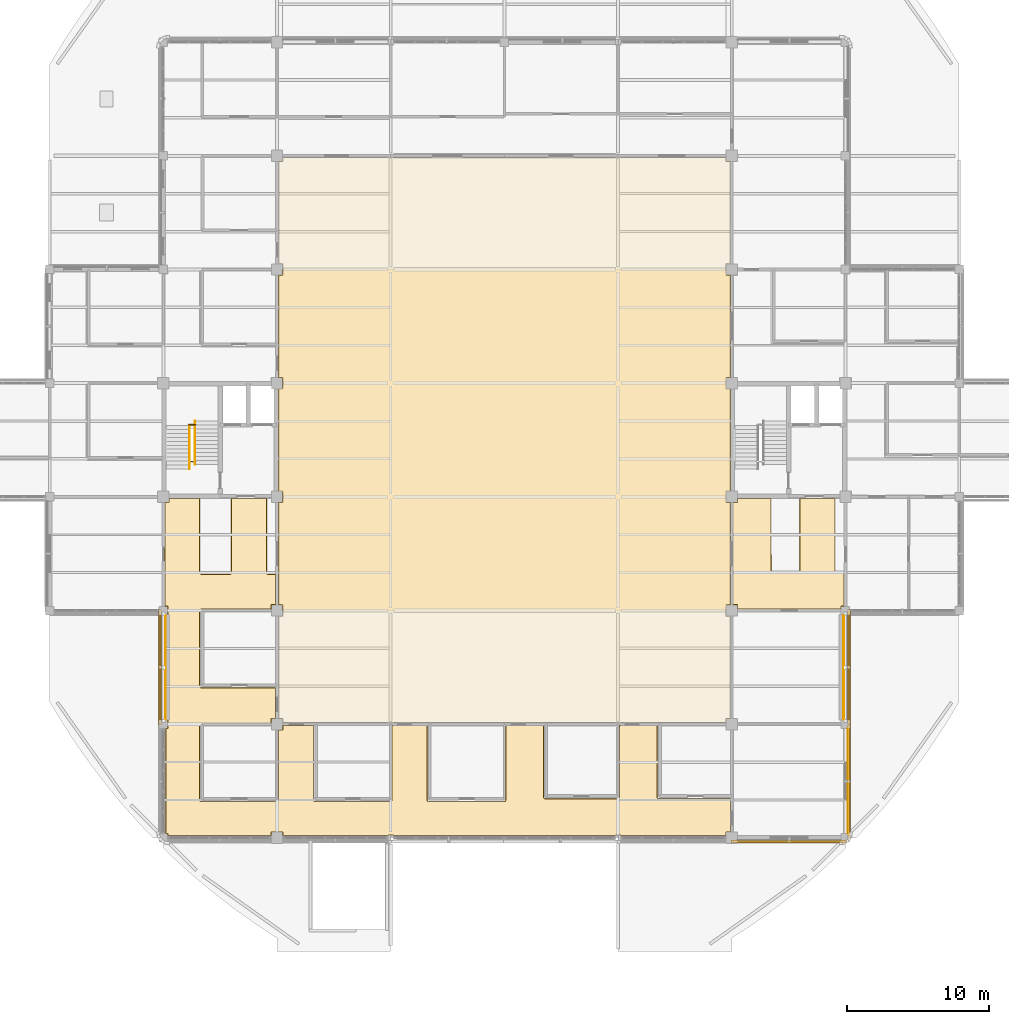
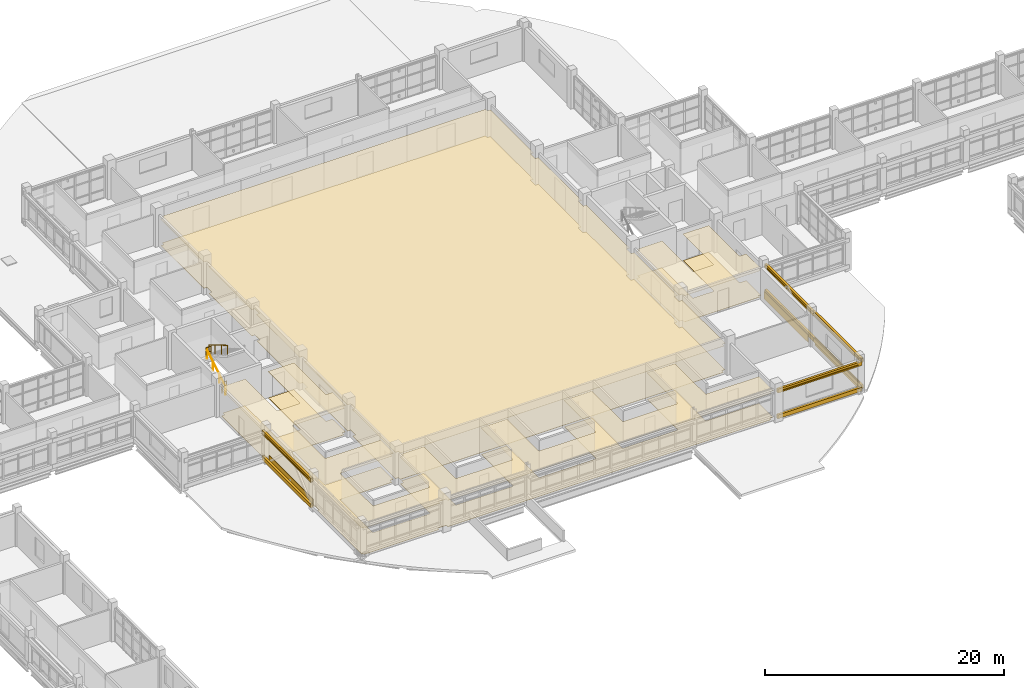
# One storey, part 115 of 126: 17 coverings, 4 railings, 4 shading devices.
"""IFC4 building model written with IfcOpenShell, lengths in metres."""

from ifc_helpers import new_model, si_unit, derived_unit, direction, frame, origin, origin_2d, place, context, subcontext, project, spatial, polyline, rectangle, circle, outline, extrude, material, layer, layer_set, material_profile, profile_set, type_object, element, save


model = new_model("IFC4")

# Units and contexts
model_context = context("Model", 3, precision=1e-05, world=origin(), true_north=direction((0.0, 1.0)))
body_context = subcontext(model_context, "Body", "Model", "MODEL_VIEW")
ifc_project = project(units=[si_unit("LENGTHUNIT", "METRE"), si_unit("AREAUNIT", "SQUARE_METRE"), si_unit("VOLUMEUNIT", "CUBIC_METRE"), si_unit("PLANEANGLEUNIT", "RADIAN"), si_unit("MASSUNIT", "GRAM", prefix="KILO"), derived_unit("THERMALTRANSMITTANCEUNIT", [(si_unit("MASSUNIT", "GRAM", prefix="KILO"), 1), (si_unit("TIMEUNIT", "SECOND"), -3), (si_unit("THERMODYNAMICTEMPERATUREUNIT", "KELVIN"), -1)])], contexts=[model_context])

# Site, building, storey
site_placement = place(None, origin())
site = spatial("IfcSite", under=ifc_project, at=site_placement, CompositionType="ELEMENT")
building_placement = place(site_placement, origin())
building = spatial("IfcBuilding", under=site, at=building_placement, Name="Veyamyaing Civic Hall", CompositionType="ELEMENT")
storey_placement = place(building_placement, frame((0.0, 0.0, 9.89990234375)))
storey = spatial("IfcBuildingStorey", under=building, at=storey_placement, Name="L02", CompositionType="ELEMENT", Elevation=9.89990234375)

# Coverings
ifc_material_1 = material(Name="Buff sandstone ashlar cladding", Category="masonry")
ifc_layer_1 = layer(ifc_material_1, 0.050048828125, Name="Buff sandstone ashlar cladding")
ifc_layer_set_1 = layer_set([ifc_layer_1], Name="Buff sandstone ashlar cladding")
covering_type_1 = type_object("IfcCoveringType", Name="CL-01", PredefinedType="CLADDING", material=ifc_layer_set_1)
covering_1_placement = place(storey_placement, frame((111.87353515625, 36.0, 0.045166015625), z_axis=(0.0, 0.0, 1.0), x_axis=(0.0, 1.0, 0.0)))
element("IfcCovering", 1, at=covering_1_placement, inside=storey, type_object=covering_type_1, Name="Facade spandrel cladding CL-01 L02 E 14.5", PredefinedType="CLADDING", context=body_context, shape_type="SweptSolid", body=[
    extrude(rectangle(XDim=7.35009765625, YDim=0.050048828125, at=origin_2d()), origin(), (0.0, 0.0, 1.0), 0.75),
])
ifc_material_2 = material(Name="Turquoise glazed ceramic tile cladding", Category="masonry")
ifc_layer_2 = layer(ifc_material_2, 0.034912109375, Name="Turquoise glazed ceramic tile cladding")
ifc_layer_set_2 = layer_set([ifc_layer_2], Name="Turquoise glazed ceramic tile cladding")
covering_type_2 = type_object("IfcCoveringType", Name="CL-02", PredefinedType="CLADDING", material=ifc_layer_set_2)
for number, where, z_axis, x_axis, name in (
    (2, (64.134033203125, 36.0, 0.045166015625), (0.0, 0.0, 1.0), (0.0, 1.0, 0.0), "Facade spandrel cladding CL-02 L02 W 9.5"),
    (3, (112.166015625, 28.0, 0.045166015625), (0.0, 0.0, 1.0), (0.0, 1.0, 0.0), "Facade spandrel cladding CL-02 L02 E 14.4"),
):
    element("IfcCovering", number, at=place(storey_placement, frame(where, z_axis=z_axis, x_axis=x_axis)), inside=storey, type_object=covering_type_2, Name=name, PredefinedType="CLADDING", context=body_context, shape_type="SweptSolid", body=[
        extrude(rectangle(XDim=7.35009765625, YDim=0.034912109375, at=origin_2d()), origin(), (0.0, 0.0, 1.0), 0.75),
    ])
ifc_material_3 = material(Name="White powder-coated aluminium 6063-T6", Category="aluminium")
ifc_layer_3 = layer(ifc_material_3, 0.2099609375, Name="White powder-coated aluminium 6063-T6")
ifc_layer_set_3 = layer_set([ifc_layer_3], Name="White powder-coated aluminium 6063-T6")
covering_type_3 = type_object("IfcCoveringType", Name="CL-03", PredefinedType="CLADDING", material=ifc_layer_set_3)
for number, where, z_axis, x_axis, name in (
    (4, (63.760009765625, 36.0, 2.904052734375), (0.0, 0.0, 1.0), (0.0, 1.0, 0.0), "Continuous white head fascia ribbon CL-03 L02 W 9.5"),
    (5, (63.760009765625, 36.0, 0.280029296875), (0.0, 0.0, 1.0), (0.0, 1.0, 0.0), "Continuous white sill fascia ribbon CL-03 L02 W 9.5"),
    (6, (108.0, 23.760009765625, 2.904052734375), (0.0, 0.0, 1.0), (1.0, 0.0, 0.0), "Continuous white head fascia ribbon CL-03 L02 S 14.4"),
    (7, (108.0, 23.760009765625, 0.280029296875), (0.0, 0.0, 1.0), (1.0, 0.0, 0.0), "Continuous white sill fascia ribbon CL-03 L02 S 14.4"),
    (8, (112.239990234375, 28.0, 2.967041015625), (0.0, 0.0, 1.0), (0.0, 1.0, 0.0), "Continuous white head fascia ribbon CL-03 L02 E 14.4"),
    (9, (112.239990234375, 28.0, 0.280029296875), (0.0, 0.0, 1.0), (0.0, 1.0, 0.0), "Continuous white sill fascia ribbon CL-03 L02 E 14.4"),
    (10, (112.239990234375, 36.0, 2.900146484375), (0.0, 0.0, 1.0), (0.0, 1.0, 0.0), "Continuous white head fascia ribbon CL-03 L02 E 14.5"),
    (11, (112.239990234375, 36.0, 0.280029296875), (0.0, 0.0, 1.0), (0.0, 1.0, 0.0), "Continuous white sill fascia ribbon CL-03 L02 E 14.5"),
):
    element("IfcCovering", number, at=place(storey_placement, frame(where, z_axis=z_axis, x_axis=x_axis)), inside=storey, type_object=covering_type_3, Name=name, PredefinedType="CLADDING", context=body_context, shape_type="SweptSolid", body=[
        extrude(rectangle(XDim=8.1201171875, YDim=0.2099609375, at=origin_2d()), origin(), (0.0, 0.0, 1.0), 0.39990234375),
    ])
ifc_material_4 = material(Name="Perforated acoustic gypsum ceiling board")
ifc_layer_4 = layer(ifc_material_4, 0.02490234375, Name="Perforated acoustic gypsum ceiling board")
ifc_layer_set_4 = layer_set([ifc_layer_4], Name="Perforated acoustic gypsum ceiling board")
covering_type_4 = type_object("IfcCoveringType", Name="CLG-01", PredefinedType="CEILING", material=ifc_layer_set_4)
covering_2_placement = place(storey_placement, frame((0.0, 0.0, 2.7001953125)))
element("IfcCovering", 12, at=covering_2_placement, inside=storey, type_object=covering_type_4, Name="Acoustic suspended ceiling CLG-01 L02-H01", PredefinedType="CEILING", context=body_context, shape_type="SweptSolid", body=[
    extrude(outline(polyline([(103.614990234375, 63.614990234375), (103.905029296875, 63.614990234375), (103.905029296875, 56.385009765625), (103.614990234375, 56.385009765625), (103.614990234375, 55.614990234375), (103.905029296875, 55.614990234375), (103.905029296875, 48.385009765625), (103.614990234375, 48.385009765625), (103.614990234375, 47.614990234375), (103.905029296875, 47.614990234375), (103.905029296875, 40.385009765625), (103.614990234375, 40.385009765625), (103.614990234375, 39.614990234375), (103.905029296875, 39.614990234375), (103.905029296875, 32.385009765625), (103.614990234375, 32.385009765625), (103.614990234375, 32.094970703125), (72.385009765625, 32.094970703125), (72.385009765625, 32.385009765625), (72.094970703125, 32.385009765625), (72.094970703125, 39.614990234375), (72.385009765625, 39.614990234375), (72.385009765625, 40.385009765625), (72.094970703125, 40.385009765625), (72.094970703125, 47.614990234375), (72.385009765625, 47.614990234375), (72.385009765625, 48.385009765625), (72.094970703125, 48.385009765625), (72.094970703125, 55.614990234375), (72.385009765625, 55.614990234375), (72.385009765625, 56.385009765625), (72.094970703125, 56.385009765625), (72.094970703125, 63.614990234375), (72.385009765625, 63.614990234375), (72.385009765625, 64.385009765625), (72.094970703125, 64.385009765625), (72.094970703125, 71.614990234375), (72.385009765625, 71.614990234375), (72.385009765625, 71.905029296875), (103.614990234375, 71.905029296875), (103.614990234375, 71.614990234375), (103.905029296875, 71.614990234375), (103.905029296875, 64.385009765625), (103.614990234375, 64.385009765625), (103.614990234375, 63.614990234375)])), origin(), (0.0, 0.0, 1.0), 0.02490234375),
])
covering_3_placement = place(storey_placement, frame((0.0, 0.0, 2.7001953125)))
element("IfcCovering", 13, at=covering_3_placement, inside=storey, type_object=covering_type_4, Name="Acoustic suspended ceiling CLG-01 L02-C04", PredefinedType="CEILING", context=body_context, shape_type="SweptSolid", body=[
    extrude(outline(polyline([(66.580810546875, 42.6220703125), (66.597412109375, 42.597412109375), (66.62158203125, 42.581298828125), (66.652587890625, 42.574951171875), (68.6982421875, 42.574951171875), (68.7216796875, 42.57861328125), (68.741455078125, 42.587890625), (68.7578125, 42.6025390625), (68.768798828125, 42.620849609375), (68.77490234375, 42.652587890625), (68.77490234375, 47.925048828125), (71.27490234375, 47.925048828125), (71.275390625, 42.643310546875), (71.28076171875, 42.6220703125), (71.29736328125, 42.597412109375), (71.322021484375, 42.580810546875), (71.34326171875, 42.575439453125), (71.925048828125, 42.574951171875), (71.925048828125, 40.385009765625), (71.614990234375, 40.385009765625), (71.614990234375, 40.074951171875), (66.652587890625, 40.074951171875), (66.62158203125, 40.06884765625), (66.597412109375, 40.052734375), (66.581298828125, 40.028564453125), (66.574951171875, 39.99755859375), (66.574951171875, 34.652587890625), (66.581298828125, 34.62158203125), (66.597412109375, 34.597412109375), (66.62158203125, 34.581298828125), (66.652587890625, 34.574951171875), (71.925048828125, 34.574951171875), (71.925048828125, 32.385009765625), (71.614990234375, 32.385009765625), (71.614990234375, 32.074951171875), (66.652587890625, 32.074951171875), (66.620849609375, 32.068603515625), (66.60205078125, 32.0576171875), (66.592529296875, 32.0478515625), (66.581298828125, 32.029296875), (66.574951171875, 31.99755859375), (66.574951171875, 26.65185546875), (66.57861328125, 26.62841796875), (66.588134765625, 26.60791015625), (66.5966796875, 26.597412109375), (66.615234375, 26.583740234375), (66.627685546875, 26.57861328125), (66.65185546875, 26.574951171875), (71.99755859375, 26.574951171875), (72.028564453125, 26.581298828125), (72.052734375, 26.597412109375), (72.06884765625, 26.62158203125), (72.074951171875, 26.652587890625), (72.074951171875, 31.614990234375), (72.385009765625, 31.614990234375), (72.385009765625, 31.925048828125), (74.574951171875, 31.925048828125), (74.574951171875, 26.652587890625), (74.581298828125, 26.620849609375), (74.59228515625, 26.6025390625), (74.60791015625, 26.58837890625), (74.635498046875, 26.576904296875), (79.99755859375, 26.574951171875), (80.028564453125, 26.581298828125), (80.052734375, 26.597412109375), (80.06884765625, 26.62158203125), (80.074951171875, 26.652587890625), (80.074951171875, 31.925048828125), (82.574951171875, 31.925048828125), (82.574951171875, 26.65185546875), (82.57861328125, 26.62841796875), (82.587890625, 26.6083984375), (82.602294921875, 26.5927734375), (82.62890625, 26.578369140625), (82.65185546875, 26.574951171875), (87.99755859375, 26.574951171875), (88.028564453125, 26.581298828125), (88.052734375, 26.597412109375), (88.06884765625, 26.62158203125), (88.074951171875, 26.652587890625), (88.074951171875, 31.925048828125), (90.77490234375, 31.925048828125), (90.77490234375, 26.851806640625), (90.778564453125, 26.82763671875), (90.78369140625, 26.815185546875), (90.797607421875, 26.796630859375), (90.807861328125, 26.7880859375), (90.828369140625, 26.778564453125), (90.851806640625, 26.77490234375), (96.014404296875, 26.77685546875), (96.0419921875, 26.788330078125), (96.057861328125, 26.802490234375), (96.068603515625, 26.82080078125), (96.074951171875, 26.8525390625), (96.074951171875, 31.925048828125), (98.77490234375, 31.925048828125), (98.77490234375, 26.851806640625), (98.778564453125, 26.828369140625), (98.7880859375, 26.807861328125), (98.796630859375, 26.797607421875), (98.815185546875, 26.78369140625), (98.82763671875, 26.778564453125), (98.851806640625, 26.77490234375), (103.925048828125, 26.77490234375), (103.925048828125, 24.385009765625), (103.614990234375, 24.385009765625), (103.614990234375, 24.155029296875), (96.17041015625, 24.155029296875), (96.17041015625, 24.1669921875), (95.82958984375, 24.1669921875), (95.82958984375, 24.155029296875), (80.17041015625, 24.155029296875), (80.17041015625, 24.1669921875), (79.82958984375, 24.1669921875), (79.82958984375, 24.155029296875), (72.385009765625, 24.155029296875), (72.385009765625, 24.385009765625), (71.614990234375, 24.385009765625), (71.614990234375, 24.155029296875), (64.284912109375, 24.155029296875), (64.284912109375, 24.284912109375), (64.155029296875, 24.284912109375), (64.155029296875, 31.715087890625), (64.284912109375, 31.715087890625), (64.284912109375, 32.284912109375), (64.155029296875, 32.284912109375), (64.155029296875, 39.715087890625), (64.284912109375, 39.715087890625), (64.284912109375, 40.284912109375), (64.074951171875, 40.284912109375), (64.074951171875, 47.614990234375), (64.385009765625, 47.614990234375), (64.385009765625, 47.925048828125), (66.574951171875, 47.925048828125), (66.575439453125, 42.643310546875), (66.580810546875, 42.6220703125)])), origin(), (0.0, 0.0, 1.0), 0.02490234375),
])
covering_4_placement = place(storey_placement, frame((0.0, 0.0, 2.7001953125)))
element("IfcCovering", 14, at=covering_4_placement, inside=storey, type_object=covering_type_4, Name="Acoustic suspended ceiling CLG-01 L02-C06", PredefinedType="CEILING", context=body_context, shape_type="SweptSolid", body=[
    extrude(outline(polyline([(106.783935546875, 42.8154296875), (106.802734375, 42.79248046875), (106.8291015625, 42.7783203125), (106.851806640625, 42.77490234375), (108.6982421875, 42.77490234375), (108.7216796875, 42.778564453125), (108.741455078125, 42.787841796875), (108.7578125, 42.802490234375), (108.768798828125, 42.82080078125), (108.77490234375, 42.8525390625), (108.77490234375, 47.925048828125), (111.27490234375, 47.925048828125), (111.275390625, 42.84326171875), (111.28076171875, 42.822021484375), (111.29736328125, 42.79736328125), (111.322021484375, 42.78076171875), (111.34326171875, 42.775390625), (111.925048828125, 42.77490234375), (111.925048828125, 40.284912109375), (111.715087890625, 40.284912109375), (111.715087890625, 40.074951171875), (104.385009765625, 40.074951171875), (104.385009765625, 40.385009765625), (104.074951171875, 40.385009765625), (104.074951171875, 47.614990234375), (104.385009765625, 47.614990234375), (104.385009765625, 47.925048828125), (106.77490234375, 47.925048828125), (106.77685546875, 42.8349609375), (106.783935546875, 42.8154296875)])), origin(), (0.0, 0.0, 1.0), 0.02490234375),
])
ifc_material_5 = material(Name="Polished Mandalay marble and terrazzo flooring", Category="masonry")
ifc_layer_5 = layer(ifc_material_5, 0.030029296875, Name="Polished Mandalay marble and terrazzo flooring")
ifc_layer_set_5 = layer_set([ifc_layer_5], Name="Polished Mandalay marble and terrazzo flooring")
covering_type_5 = type_object("IfcCoveringType", Name="FLR-01", PredefinedType="FLOORING", material=ifc_layer_set_5)
covering_5_placement = place(storey_placement, origin())
element("IfcCovering", 15, at=covering_5_placement, inside=storey, type_object=covering_type_5, Name="Stone and terrazzo flooring FLR-01 L02-H01", PredefinedType="FLOORING", context=body_context, shape_type="SweptSolid", body=[
    extrude(outline(polyline([(103.590087890625, 63.590087890625), (103.8798828125, 63.590087890625), (103.8798828125, 56.409912109375), (103.590087890625, 56.409912109375), (103.590087890625, 55.590087890625), (103.8798828125, 55.590087890625), (103.8798828125, 48.409912109375), (103.590087890625, 48.409912109375), (103.590087890625, 47.590087890625), (103.8798828125, 47.590087890625), (103.8798828125, 40.409912109375), (103.590087890625, 40.409912109375), (103.590087890625, 39.590087890625), (103.8798828125, 39.590087890625), (103.8798828125, 32.409912109375), (103.590087890625, 32.409912109375), (103.590087890625, 32.1201171875), (72.409912109375, 32.1201171875), (72.409912109375, 32.409912109375), (72.1201171875, 32.409912109375), (72.1201171875, 39.590087890625), (72.409912109375, 39.590087890625), (72.409912109375, 40.409912109375), (72.1201171875, 40.409912109375), (72.1201171875, 47.590087890625), (72.409912109375, 47.590087890625), (72.409912109375, 48.409912109375), (72.1201171875, 48.409912109375), (72.1201171875, 55.590087890625), (72.409912109375, 55.590087890625), (72.409912109375, 56.409912109375), (72.1201171875, 56.409912109375), (72.1201171875, 63.590087890625), (72.409912109375, 63.590087890625), (72.409912109375, 64.409912109375), (72.1201171875, 64.409912109375), (72.1201171875, 71.590087890625), (72.409912109375, 71.590087890625), (72.409912109375, 71.8798828125), (103.590087890625, 71.8798828125), (103.590087890625, 71.590087890625), (103.8798828125, 71.590087890625), (103.8798828125, 64.409912109375), (103.590087890625, 64.409912109375), (103.590087890625, 63.590087890625)])), origin(), (0.0, 0.0, 1.0), 0.030029296875),
])
covering_6_placement = place(storey_placement, origin())
element("IfcCovering", 16, at=covering_6_placement, inside=storey, type_object=covering_type_5, Name="Stone and terrazzo flooring FLR-01 L02-C04", PredefinedType="FLOORING", context=body_context, shape_type="SweptSolid", body=[
    extrude(outline(polyline([(66.5576171875, 42.61181640625), (66.579345703125, 42.579345703125), (66.61181640625, 42.5576171875), (66.64990234375, 42.550048828125), (68.699951171875, 42.550048828125), (68.72900390625, 42.55419921875), (68.755615234375, 42.56689453125), (68.77734375, 42.586669921875), (68.79248046875, 42.61181640625), (68.800048828125, 42.64990234375), (68.800048828125, 47.89990234375), (71.25, 47.89990234375), (71.25048828125, 42.64013671875), (71.257568359375, 42.61181640625), (71.279296875, 42.579345703125), (71.311767578125, 42.5576171875), (71.340087890625, 42.550537109375), (71.89990234375, 42.550048828125), (71.89990234375, 40.409912109375), (71.590087890625, 40.409912109375), (71.590087890625, 40.10009765625), (66.64990234375, 40.10009765625), (66.61181640625, 40.09228515625), (66.579345703125, 40.07080078125), (66.5576171875, 40.038330078125), (66.550048828125, 40.0), (66.550048828125, 34.64990234375), (66.5576171875, 34.61181640625), (66.579345703125, 34.579345703125), (66.61181640625, 34.5576171875), (66.64990234375, 34.550048828125), (71.89990234375, 34.550048828125), (71.89990234375, 32.409912109375), (71.590087890625, 32.409912109375), (71.590087890625, 32.10009765625), (66.64990234375, 32.10009765625), (66.61181640625, 32.09228515625), (66.586669921875, 32.077392578125), (66.57275390625, 32.0634765625), (66.5576171875, 32.038330078125), (66.550048828125, 32.0), (66.550048828125, 26.64990234375), (66.55419921875, 26.62109375), (66.56689453125, 26.594482421875), (66.579345703125, 26.579345703125), (66.602783203125, 26.561767578125), (66.62109375, 26.55419921875), (66.64990234375, 26.550048828125), (72.0, 26.550048828125), (72.038330078125, 26.5576171875), (72.07080078125, 26.579345703125), (72.09228515625, 26.61181640625), (72.10009765625, 26.64990234375), (72.10009765625, 31.590087890625), (72.409912109375, 31.590087890625), (72.409912109375, 31.89990234375), (74.550048828125, 31.89990234375), (74.550048828125, 26.64990234375), (74.5576171875, 26.61181640625), (74.57275390625, 26.586669921875), (74.594482421875, 26.56689453125), (74.630615234375, 26.552001953125), (80.0, 26.550048828125), (80.038330078125, 26.5576171875), (80.07080078125, 26.579345703125), (80.09228515625, 26.61181640625), (80.10009765625, 26.64990234375), (80.10009765625, 31.89990234375), (82.550048828125, 31.89990234375), (82.550048828125, 26.64990234375), (82.55419921875, 26.62109375), (82.56689453125, 26.594482421875), (82.586669921875, 26.57275390625), (82.62109375, 26.55419921875), (82.64990234375, 26.550048828125), (88.0, 26.550048828125), (88.038330078125, 26.5576171875), (88.07080078125, 26.579345703125), (88.09228515625, 26.61181640625), (88.10009765625, 26.64990234375), (88.10009765625, 31.89990234375), (90.75, 31.89990234375), (90.75, 26.85009765625), (90.75439453125, 26.821044921875), (90.76171875, 26.802978515625), (90.779296875, 26.779296875), (90.79443359375, 26.766845703125), (90.821044921875, 26.75439453125), (90.85009765625, 26.75), (96.01953125, 26.751953125), (96.0556640625, 26.766845703125), (96.077392578125, 26.78662109375), (96.09228515625, 26.811767578125), (96.10009765625, 26.85009765625), (96.10009765625, 31.89990234375), (98.75, 31.89990234375), (98.75, 26.85009765625), (98.75439453125, 26.821044921875), (98.766845703125, 26.79443359375), (98.779296875, 26.779296875), (98.802978515625, 26.76171875), (98.821044921875, 26.75439453125), (98.85009765625, 26.75), (103.89990234375, 26.75), (103.89990234375, 24.409912109375), (103.590087890625, 24.409912109375), (103.590087890625, 24.179931640625), (96.195556640625, 24.179931640625), (96.195556640625, 24.19189453125), (95.804443359375, 24.19189453125), (95.804443359375, 24.179931640625), (80.195556640625, 24.179931640625), (80.195556640625, 24.19189453125), (79.804443359375, 24.19189453125), (79.804443359375, 24.179931640625), (72.409912109375, 24.179931640625), (72.409912109375, 24.409912109375), (71.590087890625, 24.409912109375), (71.590087890625, 24.179931640625), (64.31005859375, 24.179931640625), (64.31005859375, 24.31005859375), (64.179931640625, 24.31005859375), (64.179931640625, 31.68994140625), (64.31005859375, 31.68994140625), (64.31005859375, 32.31005859375), (64.179931640625, 32.31005859375), (64.179931640625, 39.68994140625), (64.31005859375, 39.68994140625), (64.31005859375, 40.31005859375), (64.10009765625, 40.31005859375), (64.10009765625, 47.590087890625), (64.409912109375, 47.590087890625), (64.409912109375, 47.89990234375), (66.550048828125, 47.89990234375), (66.550537109375, 42.64013671875), (66.5576171875, 42.61181640625)])), origin(), (0.0, 0.0, 1.0), 0.030029296875),
])
covering_7_placement = place(storey_placement, origin())
element("IfcCovering", 17, at=covering_7_placement, inside=storey, type_object=covering_type_5, Name="Stone and terrazzo flooring FLR-01 L02-C06", PredefinedType="FLOORING", context=body_context, shape_type="SweptSolid", body=[
    extrude(outline(polyline([(106.76171875, 42.802978515625), (106.78662109375, 42.772705078125), (106.821044921875, 42.75439453125), (106.85009765625, 42.75), (108.699951171875, 42.75), (108.72900390625, 42.75439453125), (108.755615234375, 42.766845703125), (108.77734375, 42.78662109375), (108.79248046875, 42.811767578125), (108.800048828125, 42.85009765625), (108.800048828125, 47.89990234375), (111.25, 47.89990234375), (111.25048828125, 42.840087890625), (111.257568359375, 42.811767578125), (111.279296875, 42.779296875), (111.311767578125, 42.757568359375), (111.340087890625, 42.75048828125), (111.89990234375, 42.75), (111.89990234375, 40.31005859375), (111.68994140625, 40.31005859375), (111.68994140625, 40.10009765625), (104.409912109375, 40.10009765625), (104.409912109375, 40.409912109375), (104.10009765625, 40.409912109375), (104.10009765625, 47.590087890625), (104.409912109375, 47.590087890625), (104.409912109375, 47.89990234375), (106.75, 47.89990234375), (106.751953125, 42.83056640625), (106.76171875, 42.802978515625)])), origin(), (0.0, 0.0, 1.0), 0.030029296875),
])

# Railings
ifc_material_6 = material(Name="Steel S355J2", Category="steel")
railing_type_1 = type_object("IfcRailingType", Name="RL-01", PredefinedType="BALUSTRADE", material=ifc_material_6)
railing_1_placement = place(storey_placement, frame((65.780029296875, 53.070068359375, 1.97998046875)))
element("IfcRailing", 18, at=railing_1_placement, inside=storey, type_object=railing_type_1, Name="Half-landing slot guard RL-01 ST-05 L02", PredefinedType="BALUSTRADE", context=body_context, shape_type="SweptSolid", body=[
    extrude(circle(Radius=0.02392578125, at=origin_2d()), frame((0.0, 0.0, 1.076171875), z_axis=(1.0, 0.0, 0.0), x_axis=(0.0, 1.0, 0.0)), (0.0, 0.0, 1.0), 0.489990234375),
    extrude(circle(Radius=0.01416015625, at=origin_2d()), frame((0.0, 0.0, 0.572021484375), z_axis=(1.0, 0.0, 0.0), x_axis=(0.0, 1.0, 0.0)), (0.0, 0.0, 1.0), 0.489990234375),
    extrude(circle(Radius=0.02099609375, at=origin_2d()), origin(), (0.0, 0.0, 1.0), 1.052001953125),
    extrude(circle(Radius=0.02099609375, at=origin_2d()), frame((0.489990234375, 0.0, 0.0)), (0.0, 0.0, 1.0), 1.052001953125),
])
railing_2_placement = place(storey_placement, frame((65.800048828125, 50.47998046875, 0.0)))
element("IfcRailing", 19, at=railing_2_placement, inside=storey, type_object=railing_type_1, Name="Floor-landing slot guard RL-01 ST-05 L02", PredefinedType="BALUSTRADE", context=body_context, shape_type="SweptSolid", body=[
    extrude(circle(Radius=0.02392578125, at=origin_2d()), frame((0.0, 0.0, 1.076171875), z_axis=(1.0, 0.0, 0.0), x_axis=(0.0, 1.0, 0.0)), (0.0, 0.0, 1.0), 0.469970703125),
    extrude(circle(Radius=0.01416015625, at=origin_2d()), frame((0.0, 0.0, 0.572021484375), z_axis=(1.0, 0.0, 0.0), x_axis=(0.0, 1.0, 0.0)), (0.0, 0.0, 1.0), 0.469970703125),
    extrude(circle(Radius=0.02099609375, at=origin_2d()), origin(), (0.0, 0.0, 1.0), 1.052001953125),
    extrude(circle(Radius=0.02099609375, at=origin_2d()), frame((0.469970703125, 0.0, 0.0)), (0.0, 0.0, 1.0), 1.052001953125),
])
railing_type_2 = type_object("IfcRailingType", Name="RL-02", PredefinedType="HANDRAIL", material=ifc_material_6)
railing_3_placement = place(storey_placement, frame((65.840087890625, 49.949951171875, 0.1650390625)))
element("IfcRailing", 20, at=railing_3_placement, inside=storey, type_object=railing_type_2, Name="Stair pitch handrail RL-02 ST-05 L02.1", PredefinedType="HANDRAIL", context=body_context, shape_type="SweptSolid", body=[
    extrude(circle(Radius=0.02392578125, at=origin_2d()), frame((0.0, 0.0, 0.89599609375), z_axis=(0.0, 0.861551262678, 0.507670583921), x_axis=(-1.0, 0.0, 0.0)), (0.0, 0.0, 1.0), 3.574951171875),
    extrude(circle(Radius=0.02099609375, at=origin_2d()), origin(), (0.0, 0.0, 1.0), 0.871826171875),
    extrude(circle(Radius=0.02099609375, at=origin_2d()), frame((0.0, 1.026611328125, 0.60498046875)), (0.0, 0.0, 1.0), 0.871826171875),
    extrude(circle(Radius=0.02099609375, at=origin_2d()), frame((0.0, 2.053466796875, 1.2099609375)), (0.0, 0.0, 1.0), 0.871826171875),
    extrude(circle(Radius=0.02099609375, at=origin_2d()), frame((0.0, 3.080078125, 1.81494140625)), (0.0, 0.0, 1.0), 0.871826171875),
])
railing_4_placement = place(storey_placement, frame((66.219970703125, 53.35009765625, 2.14501953125)))
element("IfcRailing", 21, at=railing_4_placement, inside=storey, type_object=railing_type_2, Name="Stair pitch handrail RL-02 ST-05 L02.2", PredefinedType="HANDRAIL", context=body_context, shape_type="SweptSolid", body=[
    extrude(circle(Radius=0.02392578125, at=origin_2d()), frame((0.0, 0.0, 0.89599609375), z_axis=(0.0, -0.861521393093, 0.507721271215), x_axis=(1.0, 0.0, 0.0)), (0.0, 0.0, 1.0), 3.5751953125),
    extrude(circle(Radius=0.02099609375, at=origin_2d()), origin(), (0.0, 0.0, 1.0), 0.871826171875),
    extrude(circle(Radius=0.02099609375, at=origin_2d()), frame((0.0, -1.026611328125, 0.60498046875)), (0.0, 0.0, 1.0), 0.871826171875),
    extrude(circle(Radius=0.02099609375, at=origin_2d()), frame((0.0, -2.053466796875, 1.210205078125)), (0.0, 0.0, 1.0), 0.871826171875),
    extrude(circle(Radius=0.02099609375, at=origin_2d()), frame((0.0, -3.080078125, 1.815185546875)), (0.0, 0.0, 1.0), 0.871826171875),
])

# Shading devices
ifc_material_profile = material_profile(ifc_material_3, circle(Radius=0.110107421875, at=origin_2d()), Name="SHADE-TUBE-220")
ifc_profile_set = profile_set([ifc_material_profile], Name="White powder-coated aluminium 6063-T6")
shading_device_type = type_object("IfcShadingDeviceType", Name="SH-01", PredefinedType="USERDEFINED", material=ifc_profile_set)
shading_device_1_placement = place(storey_placement, frame((63.760009765625, 32.284912109375, 3.064208984375), z_axis=(0.0, 1.0, 0.0), x_axis=(-1.0, 0.0, 0.0)))
element("IfcShadingDevice", 22, at=shading_device_1_placement, inside=storey, type_object=shading_device_type, Name="Horizontal white sunshade ribbon SH-01 L02 W 9.5", ObjectType="SUNSHADE", PredefinedType="USERDEFINED", context=body_context, shape_type="SweptSolid", body=[
    extrude(circle(Radius=0.110107421875, at=origin_2d()), origin(), (0.0, 0.0, 1.0), 7.43017578125),
])
shading_device_2_placement = place(storey_placement, frame((104.385009765625, 23.760009765625, 3.064208984375), z_axis=(1.0, 0.0, 0.0), x_axis=(0.0, 1.0, 0.0)))
element("IfcShadingDevice", 23, at=shading_device_2_placement, inside=storey, type_object=shading_device_type, Name="Horizontal white sunshade ribbon SH-01 L02 S 14.4", ObjectType="SUNSHADE", PredefinedType="USERDEFINED", context=body_context, shape_type="SweptSolid", body=[
    extrude(circle(Radius=0.110107421875, at=origin_2d()), origin(), (0.0, 0.0, 1.0), 7.330078125),
])
for number, where, z_axis, x_axis, name in (
    (24, (112.239990234375, 24.284912109375, 3.127197265625), (0.0, 1.0, 0.0), (-1.0, 0.0, 0.0), "Horizontal white sunshade ribbon SH-01 L02 E 14.4"),
    (25, (112.239990234375, 32.284912109375, 3.06005859375), (0.0, 1.0, 0.0), (-1.0, 0.0, 0.0), "Horizontal white sunshade ribbon SH-01 L02 E 14.5"),
):
    element("IfcShadingDevice", number, at=place(storey_placement, frame(where, z_axis=z_axis, x_axis=x_axis)), inside=storey, type_object=shading_device_type, Name=name, ObjectType="SUNSHADE", PredefinedType="USERDEFINED", context=body_context, shape_type="SweptSolid", body=[
        extrude(circle(Radius=0.110107421875, at=origin_2d()), origin(), (0.0, 0.0, 1.0), 7.43017578125),
    ])

save(model, "model.ifc")
